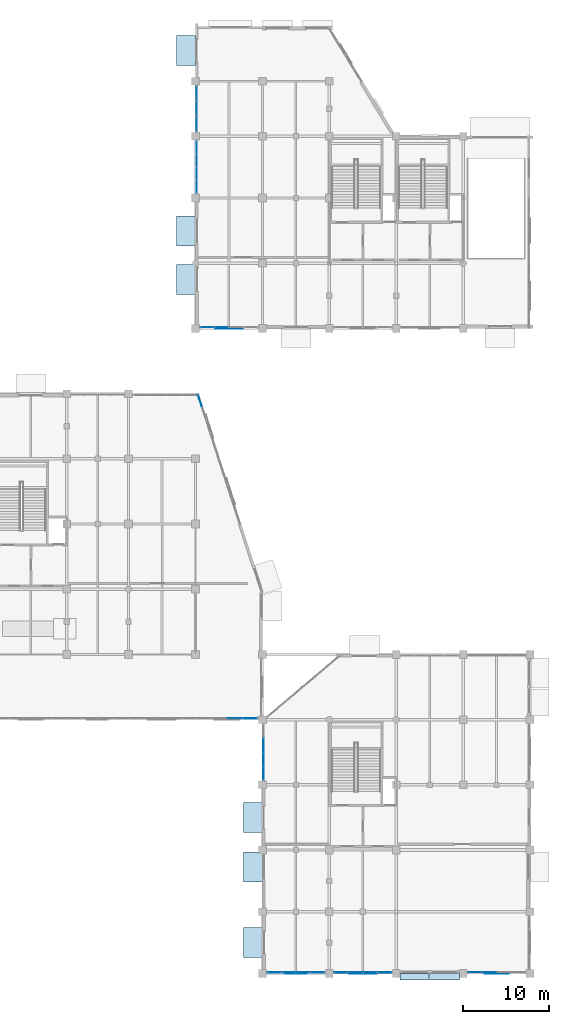
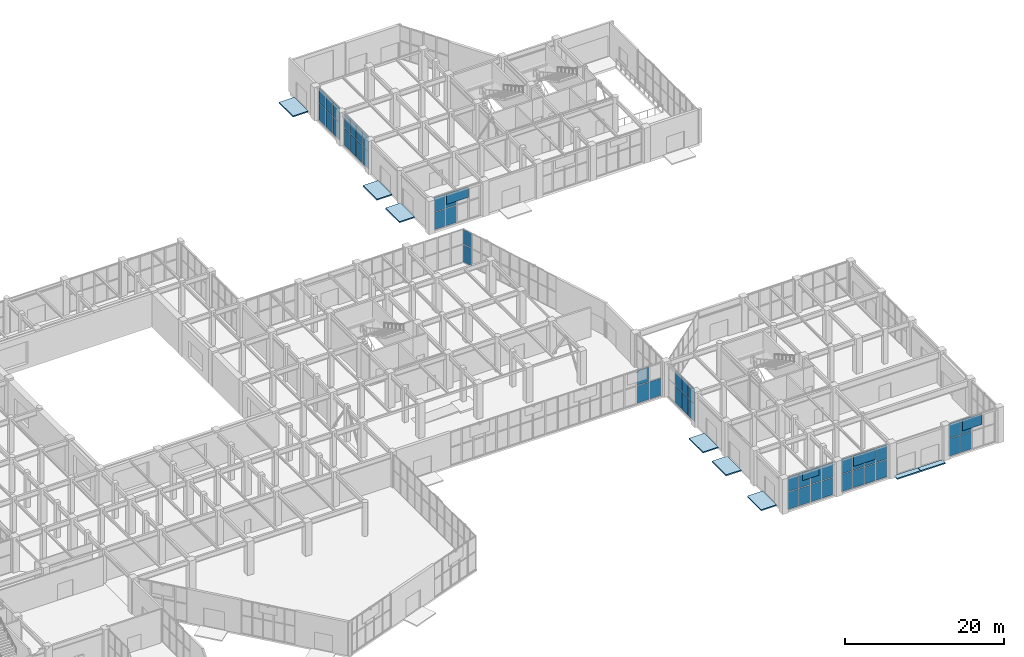
# One storey, part 110 of 139: 53 plates, 8 slabs, 9 elements without a shape of their own.
"""IFC4 building model written with IfcOpenShell, lengths in metres."""

from ifc_helpers import new_model, si_unit, direction, frame, origin, origin_2d, place, context, subcontext, project, spatial, polyline, rectangle, outline, extrude, material, layer, layer_set, type_object, element, aggregate, save


model = new_model("IFC4")

# Units and contexts
model_context = context("Model", 3, precision=1e-05, world=origin(), true_north=direction((0.0, 1.0)))
body_context = subcontext(model_context, "Body", "Model", "MODEL_VIEW")
ifc_project = project(units=[si_unit("LENGTHUNIT", "METRE"), si_unit("AREAUNIT", "SQUARE_METRE"), si_unit("VOLUMEUNIT", "CUBIC_METRE"), si_unit("PLANEANGLEUNIT", "RADIAN"), si_unit("MASSUNIT", "GRAM", prefix="KILO")], contexts=[model_context])

# Site, building, storey
site_placement = place(None, origin())
site = spatial("IfcSite", under=ifc_project, at=site_placement, CompositionType="ELEMENT")
building_placement = place(site_placement, origin())
building = spatial("IfcBuilding", under=site, at=building_placement, Name="Xicomal Pleat Aquarium", CompositionType="ELEMENT")
storey_placement = place(building_placement, origin())
storey = spatial("IfcBuildingStorey", under=building, at=storey_placement, Name="L01", CompositionType="ELEMENT", Elevation=0.0)

# Curtain wall, plates
ifc_material_1 = material(Name="Bronze anodized aluminium 6063-T6", Category="aluminium")
ifc_layer_1 = layer(ifc_material_1, 0.159912109375)
ifc_layer_set_1 = layer_set([ifc_layer_1], Name="Bronze anodized aluminium 6063-T6")
curtain_wall_type_1 = type_object("IfcCurtainWallType", Name="CW-SYS-11", PredefinedType="NOTDEFINED", material=ifc_layer_set_1)
curtain_wall_1_placement = place(storey_placement, origin())
curtain_wall_1 = element("IfcCurtainWall", 1, at=curtain_wall_1_placement, inside=storey, type_object=curtain_wall_type_1, Name="L01 unitised curtain wall CW-L01-044", PredefinedType="NOTDEFINED")
ifc_material_2 = material(Name="Insulated low-E laminated glass", Category="glass")
ifc_layer_2 = layer(ifc_material_2, 0.028076171875)
ifc_layer_set_2 = layer_set([ifc_layer_2], Name="Insulated low-E laminated glass")
plate_type_1 = type_object("IfcPlateType", Name="CWP-GLZ-28", PredefinedType="CURTAIN_PANEL", material=ifc_layer_set_2)
plate_1_placement = place(storey_placement, frame((126.520263671875, 67.576904296875, 0.0849609375), z_axis=(0.0, 0.0, 1.0), x_axis=(0.308746469381, -0.951144372661, 0.0)))
plate_1 = element("IfcPlate", 2, at=plate_1_placement, type_object=plate_type_1, Name="CW-11 panel 1.1", PredefinedType="CURTAIN_PANEL", context=body_context, shape_type="SweptSolid", body=[
    extrude(rectangle(XDim=1.470703125, YDim=0.028076171875, at=origin_2d()), origin(), (0.0, 0.0, 1.0), 2.658447265625),
])
plate_2_placement = place(storey_placement, frame((126.520263671875, 67.576904296875, 2.828369140625), z_axis=(0.0, 0.0, 1.0), x_axis=(0.308746469381, -0.951144372661, 0.0)))
plate_2 = element("IfcPlate", 3, at=plate_2_placement, type_object=plate_type_1, Name="CW-11 panel 1.2", PredefinedType="CURTAIN_PANEL", context=body_context, shape_type="SweptSolid", body=[
    extrude(rectangle(XDim=1.470703125, YDim=0.028076171875, at=origin_2d()), origin(), (0.0, 0.0, 1.0), 2.24658203125),
])
aggregate(curtain_wall_1, [plate_1, plate_2])

ifc_material_3 = material(Name="Bronze anodized aluminium 6063-T6", Category="aluminium")
ifc_layer_3 = layer(ifc_material_3, 0.159912109375)
ifc_layer_set_3 = layer_set([ifc_layer_3], Name="Bronze anodized aluminium 6063-T6")
curtain_wall_type_2 = type_object("IfcCurtainWallType", Name="CW-SYS-01", PredefinedType="NOTDEFINED", material=ifc_layer_set_3)
curtain_wall_2_placement = place(storey_placement, origin())
curtain_wall_2 = element("IfcCurtainWall", 4, at=curtain_wall_2_placement, inside=storey, type_object=curtain_wall_type_2, Name="L01 unitised curtain wall CW-L01-060", PredefinedType="NOTDEFINED")
plate_3_placement = place(storey_placement, frame((160.2548828125, 0.93994140625, 0.06494140625), z_axis=(0.0, 0.0, 1.0), x_axis=(-1.0, 0.0, 0.0)))
plate_3 = element("IfcPlate", 5, at=plate_3_placement, type_object=plate_type_1, Name="CW-01 panel 3.1", PredefinedType="CURTAIN_PANEL", context=body_context, shape_type="SweptSolid", body=[
    extrude(rectangle(XDim=1.625, YDim=0.028076171875, at=origin_2d()), origin(), (0.0, 0.0, 1.0), 2.66748046875),
])
plate_4_placement = place(storey_placement, frame((160.2548828125, 0.93994140625, 2.79736328125), z_axis=(0.0, 0.0, 1.0), x_axis=(-1.0, 0.0, 0.0)))
plate_4 = element("IfcPlate", 6, at=plate_4_placement, type_object=plate_type_1, Name="CW-01 panel 3.2", PredefinedType="CURTAIN_PANEL", context=body_context, shape_type="SweptSolid", body=[
    extrude(rectangle(XDim=1.625, YDim=0.028076171875, at=origin_2d()), origin(), (0.0, 0.0, 1.0), 2.257568359375),
])
plate_5_placement = place(storey_placement, frame((158.581298828125, 0.93994140625, 0.06494140625), z_axis=(0.0, 0.0, 1.0), x_axis=(-1.0, 0.0, 0.0)))
plate_5 = element("IfcPlate", 7, at=plate_5_placement, type_object=plate_type_1, Name="CW-01 panel 4.1", PredefinedType="CURTAIN_PANEL", context=body_context, shape_type="SweptSolid", body=[
    extrude(rectangle(XDim=1.592529296875, YDim=0.028076171875, at=origin_2d()), origin(), (0.0, 0.0, 1.0), 2.66748046875),
])
plate_6_placement = place(storey_placement, frame((158.581298828125, 0.93994140625, 2.79736328125), z_axis=(0.0, 0.0, 1.0), x_axis=(-1.0, 0.0, 0.0)))
plate_6 = element("IfcPlate", 8, at=plate_6_placement, type_object=plate_type_1, Name="CW-01 panel 4.2", PredefinedType="CURTAIN_PANEL", context=body_context, shape_type="SweptSolid", body=[
    extrude(rectangle(XDim=1.592529296875, YDim=0.028076171875, at=origin_2d()), origin(), (0.0, 0.0, 1.0), 2.257568359375),
])
aggregate(curtain_wall_2, [plate_3, plate_4, plate_5, plate_6])

curtain_wall_3_placement = place(storey_placement, origin())
curtain_wall_3 = element("IfcCurtainWall", 9, at=curtain_wall_3_placement, inside=storey, type_object=curtain_wall_type_1, Name="L01 unitised curtain wall CW-L01-068", PredefinedType="NOTDEFINED")
plate_7_placement = place(storey_placement, frame((129.054931640625, 76.139892578125, 0.0849609375), z_axis=(0.0, 0.0, 1.0), x_axis=(-1.0, 0.0, 0.0)))
plate_7 = element("IfcPlate", 10, at=plate_7_placement, type_object=plate_type_1, Name="CW-11 panel 3.1", PredefinedType="CURTAIN_PANEL", context=body_context, shape_type="SweptSolid", body=[
    extrude(rectangle(XDim=1.60498046875, YDim=0.028076171875, at=origin_2d()), origin(), (0.0, 0.0, 1.0), 2.62646484375),
])
plate_8_placement = place(storey_placement, frame((129.054931640625, 76.139892578125, 2.79638671875), z_axis=(0.0, 0.0, 1.0), x_axis=(-1.0, 0.0, 0.0)))
plate_8 = element("IfcPlate", 11, at=plate_8_placement, type_object=plate_type_1, Name="CW-11 panel 3.2", PredefinedType="CURTAIN_PANEL", context=body_context, shape_type="SweptSolid", body=[
    extrude(rectangle(XDim=1.60498046875, YDim=0.028076171875, at=origin_2d()), origin(), (0.0, 0.0, 1.0), 2.218505859375),
])
plate_9_placement = place(storey_placement, frame((127.38623046875, 76.139892578125, 0.0849609375), z_axis=(0.0, 0.0, 1.0), x_axis=(-1.0, 0.0, 0.0)))
plate_9 = element("IfcPlate", 12, at=plate_9_placement, type_object=plate_type_1, Name="CW-11 panel 4.1", PredefinedType="CURTAIN_PANEL", context=body_context, shape_type="SweptSolid", body=[
    extrude(rectangle(XDim=1.5625, YDim=0.028076171875, at=origin_2d()), origin(), (0.0, 0.0, 1.0), 2.62646484375),
])
plate_10_placement = place(storey_placement, frame((127.38623046875, 76.139892578125, 2.79638671875), z_axis=(0.0, 0.0, 1.0), x_axis=(-1.0, 0.0, 0.0)))
plate_10 = element("IfcPlate", 13, at=plate_10_placement, type_object=plate_type_1, Name="CW-11 panel 4.2", PredefinedType="CURTAIN_PANEL", context=body_context, shape_type="SweptSolid", body=[
    extrude(rectangle(XDim=1.5625, YDim=0.028076171875, at=origin_2d()), origin(), (0.0, 0.0, 1.0), 2.218505859375),
])
aggregate(curtain_wall_3, [plate_7, plate_8, plate_9, plate_10])

ifc_material_4 = material(Name="Bronze anodized aluminium 6063-T6", Category="aluminium")
ifc_layer_4 = layer(ifc_material_4, 0.159912109375)
ifc_layer_set_4 = layer_set([ifc_layer_4], Name="Bronze anodized aluminium 6063-T6")
curtain_wall_type_3 = type_object("IfcCurtainWallType", Name="CW-SYS-06", PredefinedType="NOTDEFINED", material=ifc_layer_set_4)
curtain_wall_4_placement = place(storey_placement, origin())
curtain_wall_4 = element("IfcCurtainWall", 14, at=curtain_wall_4_placement, inside=storey, type_object=curtain_wall_type_3, Name="L01 unitised curtain wall CW-L01-061", PredefinedType="NOTDEFINED")
ifc_material_5 = material(Name="Insulated low-E laminated glass", Category="glass")
ifc_layer_5 = layer(ifc_material_5, 0.031982421875)
ifc_layer_set_5 = layer_set([ifc_layer_5], Name="Insulated low-E laminated glass")
plate_type_2 = type_object("IfcPlateType", Name="CWP-GLZ-32", PredefinedType="CURTAIN_PANEL", material=ifc_layer_set_5)
plate_11_placement = place(storey_placement, frame((148.01611328125, 0.93994140625, 0.0751953125), z_axis=(0.0, 0.0, 1.0), x_axis=(-1.0, 0.0, 0.0)))
plate_11 = element("IfcPlate", 15, at=plate_11_placement, type_object=plate_type_2, Name="CW-06 panel 1.1", PredefinedType="CURTAIN_PANEL", context=body_context, shape_type="SweptSolid", body=[
    extrude(rectangle(XDim=1.577392578125, YDim=0.031982421875, at=origin_2d()), origin(), (0.0, 0.0, 1.0), 2.652587890625),
])
plate_12_placement = place(storey_placement, frame((148.01611328125, 0.93994140625, 2.802734375), z_axis=(0.0, 0.0, 1.0), x_axis=(-1.0, 0.0, 0.0)))
plate_12 = element("IfcPlate", 16, at=plate_12_placement, type_object=plate_type_2, Name="CW-06 panel 1.2", PredefinedType="CURTAIN_PANEL", context=body_context, shape_type="SweptSolid", body=[
    extrude(rectangle(XDim=1.577392578125, YDim=0.031982421875, at=origin_2d()), origin(), (0.0, 0.0, 1.0), 2.242431640625),
])
plate_13_placement = place(storey_placement, frame((146.344970703125, 0.93994140625, 0.0751953125), z_axis=(0.0, 0.0, 1.0), x_axis=(-1.0, 0.0, 0.0)))
plate_13 = element("IfcPlate", 17, at=plate_13_placement, type_object=plate_type_2, Name="CW-06 panel 2.1", PredefinedType="CURTAIN_PANEL", context=body_context, shape_type="SweptSolid", body=[
    extrude(rectangle(XDim=1.614990234375, YDim=0.031982421875, at=origin_2d()), origin(), (0.0, 0.0, 1.0), 2.652587890625),
])
plate_14_placement = place(storey_placement, frame((146.344970703125, 0.93994140625, 2.802734375), z_axis=(0.0, 0.0, 1.0), x_axis=(-1.0, 0.0, 0.0)))
plate_14 = element("IfcPlate", 18, at=plate_14_placement, type_object=plate_type_2, Name="CW-06 panel 2.2", PredefinedType="CURTAIN_PANEL", context=body_context, shape_type="SweptSolid", body=[
    extrude(rectangle(XDim=1.614990234375, YDim=0.031982421875, at=origin_2d()), origin(), (0.0, 0.0, 1.0), 2.242431640625),
])
plate_15_placement = place(storey_placement, frame((144.655029296875, 0.93994140625, 0.0751953125), z_axis=(0.0, 0.0, 1.0), x_axis=(-1.0, 0.0, 0.0)))
plate_15 = element("IfcPlate", 19, at=plate_15_placement, type_object=plate_type_2, Name="CW-06 panel 3.1", PredefinedType="CURTAIN_PANEL", context=body_context, shape_type="SweptSolid", body=[
    extrude(rectangle(XDim=1.614990234375, YDim=0.031982421875, at=origin_2d()), origin(), (0.0, 0.0, 1.0), 2.652587890625),
])
plate_16_placement = place(storey_placement, frame((144.655029296875, 0.93994140625, 2.802734375), z_axis=(0.0, 0.0, 1.0), x_axis=(-1.0, 0.0, 0.0)))
plate_16 = element("IfcPlate", 20, at=plate_16_placement, type_object=plate_type_2, Name="CW-06 panel 3.2", PredefinedType="CURTAIN_PANEL", context=body_context, shape_type="SweptSolid", body=[
    extrude(rectangle(XDim=1.614990234375, YDim=0.031982421875, at=origin_2d()), origin(), (0.0, 0.0, 1.0), 2.242431640625),
])
plate_17_placement = place(storey_placement, frame((142.98388671875, 0.93994140625, 0.0751953125), z_axis=(0.0, 0.0, 1.0), x_axis=(-1.0, 0.0, 0.0)))
plate_17 = element("IfcPlate", 21, at=plate_17_placement, type_object=plate_type_2, Name="CW-06 panel 4.1", PredefinedType="CURTAIN_PANEL", context=body_context, shape_type="SweptSolid", body=[
    extrude(rectangle(XDim=1.577392578125, YDim=0.031982421875, at=origin_2d()), origin(), (0.0, 0.0, 1.0), 2.652587890625),
])
plate_18_placement = place(storey_placement, frame((142.98388671875, 0.93994140625, 2.802734375), z_axis=(0.0, 0.0, 1.0), x_axis=(-1.0, 0.0, 0.0)))
plate_18 = element("IfcPlate", 22, at=plate_18_placement, type_object=plate_type_2, Name="CW-06 panel 4.2", PredefinedType="CURTAIN_PANEL", context=body_context, shape_type="SweptSolid", body=[
    extrude(rectangle(XDim=1.577392578125, YDim=0.031982421875, at=origin_2d()), origin(), (0.0, 0.0, 1.0), 2.242431640625),
])
aggregate(curtain_wall_4, [plate_11, plate_12, plate_13, plate_14, plate_15, plate_16, plate_17, plate_18])

curtain_wall_5_placement = place(storey_placement, origin())
curtain_wall_5 = element("IfcCurtainWall", 23, at=curtain_wall_5_placement, inside=storey, type_object=curtain_wall_type_2, Name="L01 unitised curtain wall CW-L01-069", PredefinedType="NOTDEFINED")
plate_19_placement = place(storey_placement, frame((126.139892578125, 92.506103515625, 0.06494140625), z_axis=(0.0, 0.0, 1.0), x_axis=(0.0, 1.0, 0.0)))
plate_19 = element("IfcPlate", 24, at=plate_19_placement, type_object=plate_type_2, Name="CW-01 panel 1.1", PredefinedType="CURTAIN_PANEL", context=body_context, shape_type="SweptSolid", body=[
    extrude(rectangle(XDim=1.4423828125, YDim=0.031982421875, at=origin_2d()), origin(), (0.0, 0.0, 1.0), 2.656494140625),
])
plate_20_placement = place(storey_placement, frame((126.139892578125, 92.506103515625, 2.78662109375), z_axis=(0.0, 0.0, 1.0), x_axis=(0.0, 1.0, 0.0)))
plate_20 = element("IfcPlate", 25, at=plate_20_placement, type_object=plate_type_2, Name="CW-01 panel 1.2", PredefinedType="CURTAIN_PANEL", context=body_context, shape_type="SweptSolid", body=[
    extrude(rectangle(XDim=1.4423828125, YDim=0.031982421875, at=origin_2d()), origin(), (0.0, 0.0, 1.0), 2.24853515625),
])
plate_21_placement = place(storey_placement, frame((126.139892578125, 94.030029296875, 0.06494140625), z_axis=(0.0, 0.0, 1.0), x_axis=(0.0, 1.0, 0.0)))
plate_21 = element("IfcPlate", 26, at=plate_21_placement, type_object=plate_type_2, Name="CW-01 panel 2.1", PredefinedType="CURTAIN_PANEL", context=body_context, shape_type="SweptSolid", body=[
    extrude(rectangle(XDim=1.47509765625, YDim=0.031982421875, at=origin_2d()), origin(), (0.0, 0.0, 1.0), 2.656494140625),
])
plate_22_placement = place(storey_placement, frame((126.139892578125, 94.030029296875, 2.78662109375), z_axis=(0.0, 0.0, 1.0), x_axis=(0.0, 1.0, 0.0)))
plate_22 = element("IfcPlate", 27, at=plate_22_placement, type_object=plate_type_2, Name="CW-01 panel 2.2", PredefinedType="CURTAIN_PANEL", context=body_context, shape_type="SweptSolid", body=[
    extrude(rectangle(XDim=1.47509765625, YDim=0.031982421875, at=origin_2d()), origin(), (0.0, 0.0, 1.0), 2.24853515625),
])
plate_23_placement = place(storey_placement, frame((126.139892578125, 95.570068359375, 0.06494140625), z_axis=(0.0, 0.0, 1.0), x_axis=(0.0, 1.0, 0.0)))
plate_23 = element("IfcPlate", 28, at=plate_23_placement, type_object=plate_type_2, Name="CW-01 panel 3.1", PredefinedType="CURTAIN_PANEL", context=body_context, shape_type="SweptSolid", body=[
    extrude(rectangle(XDim=1.47509765625, YDim=0.031982421875, at=origin_2d()), origin(), (0.0, 0.0, 1.0), 2.656494140625),
])
plate_24_placement = place(storey_placement, frame((126.139892578125, 95.570068359375, 2.78662109375), z_axis=(0.0, 0.0, 1.0), x_axis=(0.0, 1.0, 0.0)))
plate_24 = element("IfcPlate", 29, at=plate_24_placement, type_object=plate_type_2, Name="CW-01 panel 3.2", PredefinedType="CURTAIN_PANEL", context=body_context, shape_type="SweptSolid", body=[
    extrude(rectangle(XDim=1.47509765625, YDim=0.031982421875, at=origin_2d()), origin(), (0.0, 0.0, 1.0), 2.24853515625),
])
plate_25_placement = place(storey_placement, frame((126.139892578125, 97.09375, 0.06494140625), z_axis=(0.0, 0.0, 1.0), x_axis=(0.0, 1.0, 0.0)))
plate_25 = element("IfcPlate", 30, at=plate_25_placement, type_object=plate_type_2, Name="CW-01 panel 4.1", PredefinedType="CURTAIN_PANEL", context=body_context, shape_type="SweptSolid", body=[
    extrude(rectangle(XDim=1.4423828125, YDim=0.031982421875, at=origin_2d()), origin(), (0.0, 0.0, 1.0), 2.656494140625),
])
plate_26_placement = place(storey_placement, frame((126.139892578125, 97.09375, 2.78662109375), z_axis=(0.0, 0.0, 1.0), x_axis=(0.0, 1.0, 0.0)))
plate_26 = element("IfcPlate", 31, at=plate_26_placement, type_object=plate_type_2, Name="CW-01 panel 4.2", PredefinedType="CURTAIN_PANEL", context=body_context, shape_type="SweptSolid", body=[
    extrude(rectangle(XDim=1.4423828125, YDim=0.031982421875, at=origin_2d()), origin(), (0.0, 0.0, 1.0), 2.24853515625),
])
aggregate(curtain_wall_5, [plate_19, plate_20, plate_21, plate_22, plate_23, plate_24, plate_25, plate_26])

curtain_wall_6_placement = place(storey_placement, origin())
curtain_wall_6 = element("IfcCurtainWall", 32, at=curtain_wall_6_placement, inside=storey, type_object=curtain_wall_type_1, Name="L01 unitised curtain wall CW-L01-062", PredefinedType="NOTDEFINED")
ifc_material_6 = material(Name="Insulated low-E laminated glass", Category="glass")
ifc_layer_6 = layer(ifc_material_6, 0.035888671875)
ifc_layer_set_6 = layer_set([ifc_layer_6], Name="Insulated low-E laminated glass")
plate_type_3 = type_object("IfcPlateType", Name="CWP-GLZ-36", PredefinedType="CURTAIN_PANEL", material=ifc_layer_set_6)
plate_27_placement = place(storey_placement, frame((140.2138671875, 0.93994140625, 0.0849609375), z_axis=(0.0, 0.0, 1.0), x_axis=(-1.0, 0.0, 0.0)))
plate_27 = element("IfcPlate", 33, at=plate_27_placement, type_object=plate_type_3, Name="CW-11 panel 1.1", PredefinedType="CURTAIN_PANEL", context=body_context, shape_type="SweptSolid", body=[
    extrude(rectangle(XDim=1.5625, YDim=0.035888671875, at=origin_2d()), origin(), (0.0, 0.0, 1.0), 2.637451171875),
])
plate_28_placement = place(storey_placement, frame((140.2138671875, 0.93994140625, 2.807373046875), z_axis=(0.0, 0.0, 1.0), x_axis=(-1.0, 0.0, 0.0)))
plate_28 = element("IfcPlate", 34, at=plate_28_placement, type_object=plate_type_3, Name="CW-11 panel 1.2", PredefinedType="CURTAIN_PANEL", context=body_context, shape_type="SweptSolid", body=[
    extrude(rectangle(XDim=1.5625, YDim=0.035888671875, at=origin_2d()), origin(), (0.0, 0.0, 1.0), 2.2275390625),
])
plate_29_placement = place(storey_placement, frame((138.544921875, 0.93994140625, 0.0849609375), z_axis=(0.0, 0.0, 1.0), x_axis=(-1.0, 0.0, 0.0)))
plate_29 = element("IfcPlate", 35, at=plate_29_placement, type_object=plate_type_3, Name="CW-11 panel 2.1", PredefinedType="CURTAIN_PANEL", context=body_context, shape_type="SweptSolid", body=[
    extrude(rectangle(XDim=1.60498046875, YDim=0.035888671875, at=origin_2d()), origin(), (0.0, 0.0, 1.0), 2.637451171875),
])
plate_30_placement = place(storey_placement, frame((138.544921875, 0.93994140625, 2.807373046875), z_axis=(0.0, 0.0, 1.0), x_axis=(-1.0, 0.0, 0.0)))
plate_30 = element("IfcPlate", 36, at=plate_30_placement, type_object=plate_type_3, Name="CW-11 panel 2.2", PredefinedType="CURTAIN_PANEL", context=body_context, shape_type="SweptSolid", body=[
    extrude(rectangle(XDim=1.60498046875, YDim=0.035888671875, at=origin_2d()), origin(), (0.0, 0.0, 1.0), 2.2275390625),
])
plate_31_placement = place(storey_placement, frame((136.85498046875, 0.93994140625, 0.0849609375), z_axis=(0.0, 0.0, 1.0), x_axis=(-1.0, 0.0, 0.0)))
plate_31 = element("IfcPlate", 37, at=plate_31_placement, type_object=plate_type_3, Name="CW-11 panel 3.1", PredefinedType="CURTAIN_PANEL", context=body_context, shape_type="SweptSolid", body=[
    extrude(rectangle(XDim=1.60498046875, YDim=0.035888671875, at=origin_2d()), origin(), (0.0, 0.0, 1.0), 2.637451171875),
])
plate_32_placement = place(storey_placement, frame((136.85498046875, 0.93994140625, 2.807373046875), z_axis=(0.0, 0.0, 1.0), x_axis=(-1.0, 0.0, 0.0)))
plate_32 = element("IfcPlate", 38, at=plate_32_placement, type_object=plate_type_3, Name="CW-11 panel 3.2", PredefinedType="CURTAIN_PANEL", context=body_context, shape_type="SweptSolid", body=[
    extrude(rectangle(XDim=1.60498046875, YDim=0.035888671875, at=origin_2d()), origin(), (0.0, 0.0, 1.0), 2.2275390625),
])
plate_33_placement = place(storey_placement, frame((135.186279296875, 0.93994140625, 0.0849609375), z_axis=(0.0, 0.0, 1.0), x_axis=(-1.0, 0.0, 0.0)))
plate_33 = element("IfcPlate", 39, at=plate_33_placement, type_object=plate_type_3, Name="CW-11 panel 4.1", PredefinedType="CURTAIN_PANEL", context=body_context, shape_type="SweptSolid", body=[
    extrude(rectangle(XDim=1.5625, YDim=0.035888671875, at=origin_2d()), origin(), (0.0, 0.0, 1.0), 2.637451171875),
])
plate_34_placement = place(storey_placement, frame((135.186279296875, 0.93994140625, 2.807373046875), z_axis=(0.0, 0.0, 1.0), x_axis=(-1.0, 0.0, 0.0)))
plate_34 = element("IfcPlate", 40, at=plate_34_placement, type_object=plate_type_3, Name="CW-11 panel 4.2", PredefinedType="CURTAIN_PANEL", context=body_context, shape_type="SweptSolid", body=[
    extrude(rectangle(XDim=1.5625, YDim=0.035888671875, at=origin_2d()), origin(), (0.0, 0.0, 1.0), 2.2275390625),
])
aggregate(curtain_wall_6, [plate_27, plate_28, plate_29, plate_30, plate_31, plate_32, plate_33, plate_34])

curtain_wall_7_placement = place(storey_placement, origin())
curtain_wall_7 = element("IfcCurtainWall", 41, at=curtain_wall_7_placement, inside=storey, type_object=curtain_wall_type_3, Name="L01 unitised curtain wall CW-L01-070", PredefinedType="NOTDEFINED")
plate_35_placement = place(storey_placement, frame((126.139892578125, 99.83203125, 0.074951171875), z_axis=(0.0, 0.0, 1.0), x_axis=(0.0, 1.0, 0.0)))
plate_35 = element("IfcPlate", 42, at=plate_35_placement, type_object=plate_type_3, Name="CW-06 panel 1.1", PredefinedType="CURTAIN_PANEL", context=body_context, shape_type="SweptSolid", body=[
    extrude(rectangle(XDim=1.67431640625, YDim=0.035888671875, at=origin_2d()), origin(), (0.0, 0.0, 1.0), 2.6416015625),
])
plate_36_placement = place(storey_placement, frame((126.139892578125, 99.83203125, 2.79150390625), z_axis=(0.0, 0.0, 1.0), x_axis=(0.0, 1.0, 0.0)))
plate_36 = element("IfcPlate", 43, at=plate_36_placement, type_object=plate_type_3, Name="CW-06 panel 1.2", PredefinedType="CURTAIN_PANEL", context=body_context, shape_type="SweptSolid", body=[
    extrude(rectangle(XDim=1.67431640625, YDim=0.035888671875, at=origin_2d()), origin(), (0.0, 0.0, 1.0), 2.2333984375),
])
plate_37_placement = place(storey_placement, frame((126.139892578125, 101.60009765625, 0.074951171875), z_axis=(0.0, 0.0, 1.0), x_axis=(0.0, 1.0, 0.0)))
plate_37 = element("IfcPlate", 44, at=plate_37_placement, type_object=plate_type_3, Name="CW-06 panel 2.1", PredefinedType="CURTAIN_PANEL", context=body_context, shape_type="SweptSolid", body=[
    extrude(rectangle(XDim=1.711669921875, YDim=0.035888671875, at=origin_2d()), origin(), (0.0, 0.0, 1.0), 2.6416015625),
])
plate_38_placement = place(storey_placement, frame((126.139892578125, 101.60009765625, 2.79150390625), z_axis=(0.0, 0.0, 1.0), x_axis=(0.0, 1.0, 0.0)))
plate_38 = element("IfcPlate", 45, at=plate_38_placement, type_object=plate_type_3, Name="CW-06 panel 2.2", PredefinedType="CURTAIN_PANEL", context=body_context, shape_type="SweptSolid", body=[
    extrude(rectangle(XDim=1.711669921875, YDim=0.035888671875, at=origin_2d()), origin(), (0.0, 0.0, 1.0), 2.2333984375),
])
plate_39_placement = place(storey_placement, frame((126.139892578125, 103.367919921875, 0.074951171875), z_axis=(0.0, 0.0, 1.0), x_axis=(0.0, 1.0, 0.0)))
plate_39 = element("IfcPlate", 46, at=plate_39_placement, type_object=plate_type_3, Name="CW-06 panel 3.1", PredefinedType="CURTAIN_PANEL", context=body_context, shape_type="SweptSolid", body=[
    extrude(rectangle(XDim=1.67431640625, YDim=0.035888671875, at=origin_2d()), origin(), (0.0, 0.0, 1.0), 2.6416015625),
])
plate_40_placement = place(storey_placement, frame((126.139892578125, 103.367919921875, 2.79150390625), z_axis=(0.0, 0.0, 1.0), x_axis=(0.0, 1.0, 0.0)))
plate_40 = element("IfcPlate", 47, at=plate_40_placement, type_object=plate_type_3, Name="CW-06 panel 3.2", PredefinedType="CURTAIN_PANEL", context=body_context, shape_type="SweptSolid", body=[
    extrude(rectangle(XDim=1.67431640625, YDim=0.035888671875, at=origin_2d()), origin(), (0.0, 0.0, 1.0), 2.2333984375),
])
aggregate(curtain_wall_7, [plate_35, plate_36, plate_37, plate_38, plate_39, plate_40])

curtain_wall_8_placement = place(storey_placement, origin())
curtain_wall_8 = element("IfcCurtainWall", 48, at=curtain_wall_8_placement, inside=storey, type_object=curtain_wall_type_1, Name="L01 unitised curtain wall CW-L01-047", PredefinedType="NOTDEFINED")
ifc_material_7 = material(Name="Insulated low-E laminated glass", Category="glass")
ifc_layer_7 = layer(ifc_material_7, 0.0419921875)
ifc_layer_set_7 = layer_set([ifc_layer_7], Name="Insulated low-E laminated glass")
plate_type_4 = type_object("IfcPlateType", Name="CWP-GLZ-42", PredefinedType="CURTAIN_PANEL", material=ifc_layer_set_7)
plate_41_placement = place(storey_placement, frame((132.3486328125, 30.5400390625, 0.0849609375), z_axis=(0.0, 0.0, 1.0), x_axis=(-1.0, 0.0, 0.0)))
plate_41 = element("IfcPlate", 49, at=plate_41_placement, type_object=plate_type_4, Name="CW-11 panel 1.1", PredefinedType="CURTAIN_PANEL", context=body_context, shape_type="SweptSolid", body=[
    extrude(rectangle(XDim=1.6923828125, YDim=0.0419921875, at=origin_2d()), origin(), (0.0, 0.0, 1.0), 2.658447265625),
])
plate_42_placement = place(storey_placement, frame((130.550048828125, 30.5400390625, 0.0849609375), z_axis=(0.0, 0.0, 1.0), x_axis=(-1.0, 0.0, 0.0)))
plate_42 = element("IfcPlate", 50, at=plate_42_placement, type_object=plate_type_4, Name="CW-11 panel 2.1", PredefinedType="CURTAIN_PANEL", context=body_context, shape_type="SweptSolid", body=[
    extrude(rectangle(XDim=1.735107421875, YDim=0.0419921875, at=origin_2d()), origin(), (0.0, 0.0, 1.0), 2.658447265625),
])
plate_43_placement = place(storey_placement, frame((130.550048828125, 30.5400390625, 2.828369140625), z_axis=(0.0, 0.0, 1.0), x_axis=(-1.0, 0.0, 0.0)))
plate_43 = element("IfcPlate", 51, at=plate_43_placement, type_object=plate_type_4, Name="CW-11 panel 2.2", PredefinedType="CURTAIN_PANEL", context=body_context, shape_type="SweptSolid", body=[
    extrude(rectangle(XDim=1.735107421875, YDim=0.0419921875, at=origin_2d()), origin(), (0.0, 0.0, 1.0), 2.24658203125),
])
aggregate(curtain_wall_8, [plate_41, plate_42, plate_43])

curtain_wall_9_placement = place(storey_placement, origin())
curtain_wall_9 = element("IfcCurtainWall", 52, at=curtain_wall_9_placement, inside=storey, type_object=curtain_wall_type_2, Name="L01 unitised curtain wall CW-L01-063", PredefinedType="NOTDEFINED")
plate_44_placement = place(storey_placement, frame((133.93994140625, 24.15625, 0.06494140625), z_axis=(0.0, 0.0, 1.0), x_axis=(0.0, 1.0, 0.0)))
plate_44 = element("IfcPlate", 53, at=plate_44_placement, type_object=plate_type_4, Name="CW-01 panel 1.1", PredefinedType="CURTAIN_PANEL", context=body_context, shape_type="SweptSolid", body=[
    extrude(rectangle(XDim=1.54248046875, YDim=0.0419921875, at=origin_2d()), origin(), (0.0, 0.0, 1.0), 2.66748046875),
])
plate_45_placement = place(storey_placement, frame((133.93994140625, 24.15625, 2.79736328125), z_axis=(0.0, 0.0, 1.0), x_axis=(0.0, 1.0, 0.0)))
plate_45 = element("IfcPlate", 54, at=plate_45_placement, type_object=plate_type_4, Name="CW-01 panel 1.2", PredefinedType="CURTAIN_PANEL", context=body_context, shape_type="SweptSolid", body=[
    extrude(rectangle(XDim=1.54248046875, YDim=0.0419921875, at=origin_2d()), origin(), (0.0, 0.0, 1.0), 2.257568359375),
])
plate_46_placement = place(storey_placement, frame((133.93994140625, 25.780029296875, 0.06494140625), z_axis=(0.0, 0.0, 1.0), x_axis=(0.0, 1.0, 0.0)))
plate_46 = element("IfcPlate", 55, at=plate_46_placement, type_object=plate_type_4, Name="CW-01 panel 2.1", PredefinedType="CURTAIN_PANEL", context=body_context, shape_type="SweptSolid", body=[
    extrude(rectangle(XDim=1.574951171875, YDim=0.0419921875, at=origin_2d()), origin(), (0.0, 0.0, 1.0), 2.66748046875),
])
plate_47_placement = place(storey_placement, frame((133.93994140625, 25.780029296875, 2.79736328125), z_axis=(0.0, 0.0, 1.0), x_axis=(0.0, 1.0, 0.0)))
plate_47 = element("IfcPlate", 56, at=plate_47_placement, type_object=plate_type_4, Name="CW-01 panel 2.2", PredefinedType="CURTAIN_PANEL", context=body_context, shape_type="SweptSolid", body=[
    extrude(rectangle(XDim=1.574951171875, YDim=0.0419921875, at=origin_2d()), origin(), (0.0, 0.0, 1.0), 2.257568359375),
])
plate_48_placement = place(storey_placement, frame((133.93994140625, 27.419921875, 0.06494140625), z_axis=(0.0, 0.0, 1.0), x_axis=(0.0, 1.0, 0.0)))
plate_48 = element("IfcPlate", 57, at=plate_48_placement, type_object=plate_type_4, Name="CW-01 panel 3.1", PredefinedType="CURTAIN_PANEL", context=body_context, shape_type="SweptSolid", body=[
    extrude(rectangle(XDim=1.574951171875, YDim=0.0419921875, at=origin_2d()), origin(), (0.0, 0.0, 1.0), 2.66748046875),
])
plate_49_placement = place(storey_placement, frame((133.93994140625, 27.419921875, 2.79736328125), z_axis=(0.0, 0.0, 1.0), x_axis=(0.0, 1.0, 0.0)))
plate_49 = element("IfcPlate", 58, at=plate_49_placement, type_object=plate_type_4, Name="CW-01 panel 3.2", PredefinedType="CURTAIN_PANEL", context=body_context, shape_type="SweptSolid", body=[
    extrude(rectangle(XDim=1.574951171875, YDim=0.0419921875, at=origin_2d()), origin(), (0.0, 0.0, 1.0), 2.257568359375),
])
aggregate(curtain_wall_9, [plate_44, plate_45, plate_46, plate_47, plate_48, plate_49])

# Plates
ifc_material_8 = material(Name="Perforated bronze anodized aluminium", Category="aluminium")
ifc_layer_8 = layer(ifc_material_8, 0.01611328125)
ifc_layer_set_8 = layer_set([ifc_layer_8], Name="Perforated bronze anodized aluminium")
plate_type_5 = type_object("IfcPlateType", Name="PLT-SUN-16", PredefinedType="USERDEFINED", material=ifc_layer_set_8)
plate_50_placement = place(storey_placement, frame((137.699951171875, 0.780029296875, 3.8798828125), z_axis=(0.0, 0.0, 1.0), x_axis=(-1.0, 0.0, 0.0)))
element("IfcPlate", 59, at=plate_50_placement, inside=storey, type_object=plate_type_5, Name="L01 perforated solar sunshade 33", ObjectType="SUNSHADE PANEL", PredefinedType="USERDEFINED", context=body_context, shape_type="SweptSolid", body=[
    extrude(rectangle(XDim=2.39990234375, YDim=0.01611328125, at=origin_2d()), origin(), (0.0, 0.0, 1.0), 1.199951171875),
])
ifc_material_9 = material(Name="Perforated bronze anodized aluminium", Category="aluminium")
ifc_layer_9 = layer(ifc_material_9, 0.02001953125)
ifc_layer_set_9 = layer_set([ifc_layer_9], Name="Perforated bronze anodized aluminium")
plate_type_6 = type_object("IfcPlateType", Name="PLT-SUN-20", PredefinedType="USERDEFINED", material=ifc_layer_set_9)
plate_51_placement = place(storey_placement, frame((161.10009765625, 0.780029296875, 3.39990234375), z_axis=(0.0, 0.0, 1.0), x_axis=(-1.0, 0.0, 0.0)))
element("IfcPlate", 60, at=plate_51_placement, inside=storey, type_object=plate_type_6, Name="L01 perforated solar sunshade 31", ObjectType="SUNSHADE PANEL", PredefinedType="USERDEFINED", context=body_context, shape_type="SweptSolid", body=[
    extrude(rectangle(XDim=2.800048828125, YDim=0.02001953125, at=origin_2d()), origin(), (0.0, 0.0, 1.0), 1.679931640625),
])
ifc_material_10 = material(Name="Perforated bronze anodized aluminium", Category="aluminium")
ifc_layer_10 = layer(ifc_material_10, 0.02392578125)
ifc_layer_set_10 = layer_set([ifc_layer_10], Name="Perforated bronze anodized aluminium")
plate_type_7 = type_object("IfcPlateType", Name="PLT-SUN-24", PredefinedType="USERDEFINED", material=ifc_layer_set_10)
for number, where, z_axis, x_axis, name in (
    (61, (145.5, 0.780029296875, 3.47998046875), (0.0, 0.0, 1.0), (-1.0, 0.0, 0.0), "L01 perforated solar sunshade 32"),
    (62, (129.89990234375, 75.97998046875, 3.4599609375), (0.0, 0.0, 1.0), (-1.0, 0.0, 0.0), "L01 perforated solar sunshade 38"),
):
    element("IfcPlate", number, at=place(storey_placement, frame(where, z_axis=z_axis, x_axis=x_axis)), inside=storey, type_object=plate_type_7, Name=name, ObjectType="SUNSHADE PANEL", PredefinedType="USERDEFINED", context=body_context, shape_type="SweptSolid", body=[
        extrude(rectangle(XDim=3.199951171875, YDim=0.02392578125, at=origin_2d()), origin(), (0.0, 0.0, 1.0), 1.60009765625),
    ])

# Slabs
ifc_material_11 = material(Name="Concrete C40/50", Category="concrete")
ifc_layer_11 = layer(ifc_material_11, 0.18505859375)
ifc_layer_set_11 = layer_set([ifc_layer_11], Name="Concrete C40/50")
slab_type = type_object("IfcSlabType", Name="SLB-TER-185", PredefinedType="FLOOR", material=ifc_layer_set_11)
slab_1_placement = place(storey_placement, frame((0.0, 0.0, -0.18505859375)))
element("IfcSlab", 63, at=slab_1_placement, inside=storey, type_object=slab_type, Name="Exterior grade entrance apron SL-APR-EX-06", PredefinedType="FLOOR", context=body_context, shape_type="SweptSolid", body=[
    extrude(outline(polyline([(123.800048828125, 79.93994140625), (123.800048828125, 83.43994140625), (126.0, 83.43994140625), (126.0, 79.93994140625), (123.800048828125, 79.93994140625)])), origin(), (0.0, 0.0, 1.0), 0.18505859375),
])
slab_2_placement = place(storey_placement, frame((0.0, 0.0, -0.18505859375)))
element("IfcSlab", 64, at=slab_2_placement, inside=storey, type_object=slab_type, Name="Exterior grade entrance apron SL-APR-EX-08", PredefinedType="FLOOR", context=body_context, shape_type="SweptSolid", body=[
    extrude(outline(polyline([(131.60009765625, 11.465087890625), (131.60009765625, 14.965087890625), (133.800048828125, 14.965087890625), (133.800048828125, 11.465087890625), (131.60009765625, 11.465087890625)])), origin(), (0.0, 0.0, 1.0), 0.18505859375),
])
slab_3_placement = place(storey_placement, frame((0.0, 0.0, -0.18505859375)))
element("IfcSlab", 65, at=slab_3_placement, inside=storey, type_object=slab_type, Name="Exterior grade entrance apron SL-APR-EX-12", PredefinedType="FLOOR", context=body_context, shape_type="SweptSolid", body=[
    extrude(outline(polyline([(156.764892578125, 0.050048828125), (153.264892578125, 0.050048828125), (153.264892578125, 0.800048828125), (156.764892578125, 0.800048828125), (156.764892578125, 0.050048828125)])), origin(), (0.0, 0.0, 1.0), 0.18505859375),
])
slab_4_placement = place(storey_placement, frame((0.0, 0.0, -0.18505859375)))
element("IfcSlab", 66, at=slab_4_placement, inside=storey, type_object=slab_type, Name="Exterior grade entrance apron SL-APR-EX-13", PredefinedType="FLOOR", context=body_context, shape_type="SweptSolid", body=[
    extrude(outline(polyline([(149.8349609375, 0.050048828125), (149.8349609375, 0.800048828125), (153.18505859375, 0.800048828125), (153.18505859375, 0.050048828125), (149.8349609375, 0.050048828125)])), origin(), (0.0, 0.0, 1.0), 0.18505859375),
])
slab_5_placement = place(storey_placement, frame((0.0, 0.0, -0.18505859375)))
element("IfcSlab", 67, at=slab_5_placement, inside=storey, type_object=slab_type, Name="Exterior grade entrance apron SL-APR-EX-25", PredefinedType="FLOOR", context=body_context, shape_type="SweptSolid", body=[
    extrude(outline(polyline([(123.800048828125, 85.613037109375), (123.800048828125, 89.113037109375), (126.0, 89.113037109375), (126.0, 85.613037109375), (123.800048828125, 85.613037109375)])), origin(), (0.0, 0.0, 1.0), 0.18505859375),
])
slab_6_placement = place(storey_placement, frame((0.0, 0.0, -0.18505859375)))
element("IfcSlab", 68, at=slab_6_placement, inside=storey, type_object=slab_type, Name="Exterior grade entrance apron SL-APR-EX-26", PredefinedType="FLOOR", context=body_context, shape_type="SweptSolid", body=[
    extrude(outline(polyline([(131.60009765625, 17.25), (131.60009765625, 20.75), (133.800048828125, 20.75), (133.800048828125, 17.25), (131.60009765625, 17.25)])), origin(), (0.0, 0.0, 1.0), 0.18505859375),
])
slab_7_placement = place(storey_placement, frame((0.0, 0.0, -0.18505859375)))
element("IfcSlab", 69, at=slab_7_placement, inside=storey, type_object=slab_type, Name="Exterior grade entrance apron SL-APR-EX-28", PredefinedType="FLOOR", context=body_context, shape_type="SweptSolid", body=[
    extrude(outline(polyline([(131.60009765625, 2.64990234375), (131.60009765625, 6.14990234375), (133.800048828125, 6.14990234375), (133.800048828125, 2.64990234375), (131.60009765625, 2.64990234375)])), origin(), (0.0, 0.0, 1.0), 0.18505859375),
])
slab_8_placement = place(storey_placement, frame((0.0, 0.0, -0.18505859375)))
element("IfcSlab", 70, at=slab_8_placement, inside=storey, type_object=slab_type, Name="Exterior grade entrance apron SL-APR-EX-29", PredefinedType="FLOOR", context=body_context, shape_type="SweptSolid", body=[
    extrude(outline(polyline([(123.800048828125, 106.64794921875), (123.800048828125, 110.14794921875), (126.0, 110.14794921875), (126.0, 106.64794921875), (123.800048828125, 106.64794921875)])), origin(), (0.0, 0.0, 1.0), 0.18505859375),
])

save(model, "model.ifc")
